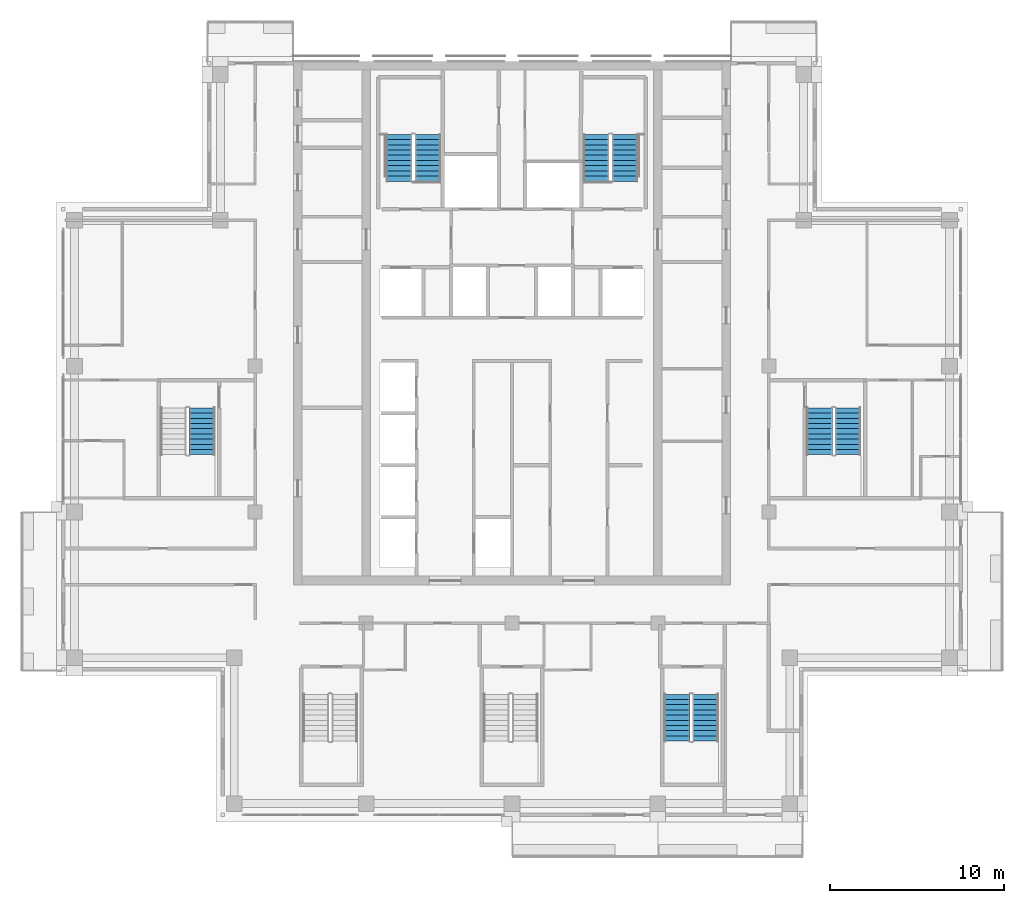
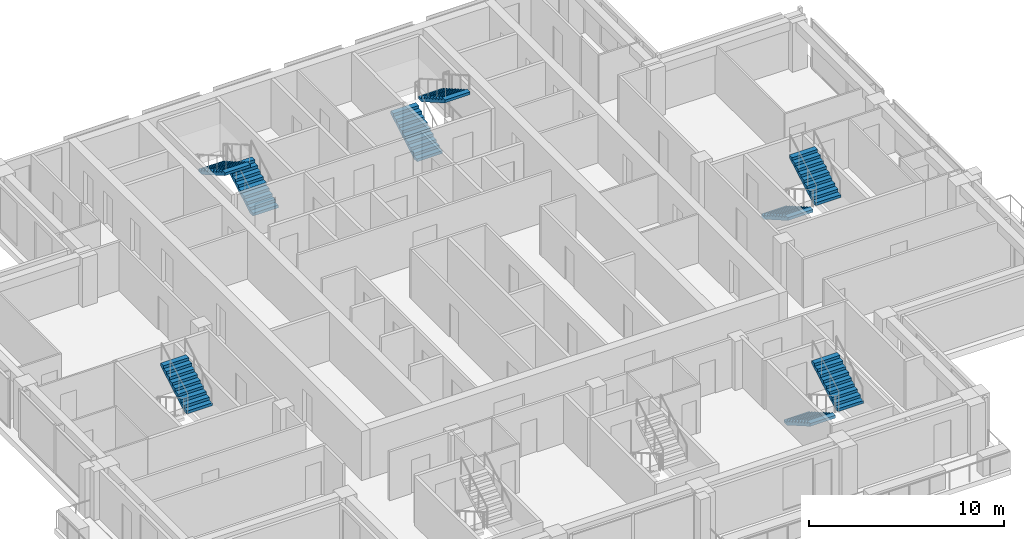
# One storey, part 14 of 17: 9 stair flights, 5 elements without a shape of their own.
"""IFC4 building model written with IfcOpenShell, lengths in metres."""

from ifc_helpers import new_model, si_unit, direction, frame, origin, place, context, subcontext, project, spatial, polyline, outline, extrude, material, type_object, element, aggregate, save


model = new_model("IFC4")

# Units and contexts
model_context = context("Model", 3, precision=1e-05, world=origin(), true_north=direction((0.0, 1.0)))
body_context = subcontext(model_context, "Body", "Model", "MODEL_VIEW")
ifc_project = project(units=[si_unit("LENGTHUNIT", "METRE"), si_unit("AREAUNIT", "SQUARE_METRE"), si_unit("VOLUMEUNIT", "CUBIC_METRE"), si_unit("PLANEANGLEUNIT", "RADIAN"), si_unit("MASSUNIT", "GRAM", prefix="KILO")], contexts=[model_context])

# Site, building, storey
site_placement = place(None, origin())
site = spatial("IfcSite", under=ifc_project, at=site_placement, CompositionType="ELEMENT")
building_placement = place(site_placement, origin())
building = spatial("IfcBuilding", under=site, at=building_placement, Name="Vermilion Ogive Tower", CompositionType="ELEMENT")
storey_placement = place(building_placement, frame((0.0, 0.0, 257.949951171875)))
storey = spatial("IfcBuildingStorey", under=building, at=storey_placement, Name="L68", CompositionType="ELEMENT", Elevation=257.949951171875)

# Stair, stair flights
ifc_material_1 = material(Name="Concrete B40", Category="concrete")
stair_type = type_object("IfcStairType", Name="Exit stair 1500", PredefinedType="HALF_TURN_STAIR", material=ifc_material_1)
stair_1_placement = place(storey_placement, origin())
stair_1 = element("IfcStair", 1, at=stair_1_placement, inside=storey, type_object=stair_type, Name="L68 Exit Stair ST1", PredefinedType="HALF_TURN_STAIR")
ifc_material_2 = material(Name="Concrete B40", Category="concrete")
stair_flight_type = type_object("IfcStairFlightType", Name="Stair flight 1500", PredefinedType="STRAIGHT", material=ifc_material_2)
stair_flight_1_placement = place(storey_placement, frame((-4.85009765625, 14.85009765625, 0.0), z_axis=(0.0, 0.0, 1.0), x_axis=(0.0, 1.0, 0.0)))
stair_flight_1 = element("IfcStairFlight", 2, at=stair_flight_1_placement, type_object=stair_flight_type, Name="ST1 flight 1", NumberOfRisers=10, NumberOfTreads=9, PredefinedType="STRAIGHT", RiserHeight=0.1725, TreadLength=0.3, context=body_context, shape_type="SweptSolid", body=[
    extrude(outline(polyline([(0.0, 0.0), (0.0, 0.172607421875), (0.300048828125, 0.172607421875), (0.300048828125, 0.344970703125), (0.60009765625, 0.344970703125), (0.60009765625, 0.517578125), (0.89990234375, 0.517578125), (0.89990234375, 0.68994140625), (1.199951171875, 0.68994140625), (1.199951171875, 0.862548828125), (1.5, 0.862548828125), (1.5, 1.034912109375), (1.800048828125, 1.034912109375), (1.800048828125, 1.20751953125), (2.10009765625, 1.20751953125), (2.10009765625, 1.3798828125), (2.39990234375, 1.3798828125), (2.39990234375, 1.552490234375), (2.699951171875, 1.552490234375), (2.699951171875, 1.72509765625), (2.699951171875, 1.379638671875), (0.30078125, 0.0), (0.0, 0.0)])), frame((0.0, 0.75, 0.0), z_axis=(0.0, -1.0, 0.0), x_axis=(1.0, 0.0, 0.0)), (0.0, 0.0, 1.0), 1.5),
])
stair_flight_2_placement = place(storey_placement, frame((-6.5, 17.550048828125, 1.72509765625), z_axis=(0.0, 0.0, 1.0), x_axis=(0.0, -1.0, 0.0)))
stair_flight_2 = element("IfcStairFlight", 3, at=stair_flight_2_placement, type_object=stair_flight_type, Name="ST1 flight 2", NumberOfRisers=10, NumberOfTreads=9, PredefinedType="STRAIGHT", RiserHeight=0.1725, TreadLength=0.3, context=body_context, shape_type="SweptSolid", body=[
    extrude(outline(polyline([(0.0, 0.0), (0.0, 0.172607421875), (0.300048828125, 0.172607421875), (0.300048828125, 0.344970703125), (0.60009765625, 0.344970703125), (0.60009765625, 0.517578125), (0.89990234375, 0.517578125), (0.89990234375, 0.68994140625), (1.199951171875, 0.68994140625), (1.199951171875, 0.862548828125), (1.5, 0.862548828125), (1.5, 1.034912109375), (1.800048828125, 1.034912109375), (1.800048828125, 1.20751953125), (2.10009765625, 1.20751953125), (2.10009765625, 1.3798828125), (2.39990234375, 1.3798828125), (2.39990234375, 1.552490234375), (2.699951171875, 1.552490234375), (2.699951171875, 1.72509765625), (2.699951171875, 1.379638671875), (0.30078125, 0.0), (0.0, 0.0)])), frame((0.0, 0.75, 0.0), z_axis=(0.0, -1.0, 0.0), x_axis=(1.0, 0.0, 0.0)), (0.0, 0.0, 1.0), 1.5),
])
aggregate(stair_1, [stair_flight_1, stair_flight_2])

stair_2_placement = place(storey_placement, origin())
stair_2 = element("IfcStair", 4, at=stair_2_placement, inside=storey, type_object=stair_type, Name="L68 Exit Stair ST2", PredefinedType="HALF_TURN_STAIR")
stair_flight_3_placement = place(storey_placement, frame((4.85009765625, 14.85009765625, 0.0), z_axis=(0.0, 0.0, 1.0), x_axis=(0.0, 1.0, 0.0)))
stair_flight_3 = element("IfcStairFlight", 5, at=stair_flight_3_placement, type_object=stair_flight_type, Name="ST2 flight 1", NumberOfRisers=10, NumberOfTreads=9, PredefinedType="STRAIGHT", RiserHeight=0.1725, TreadLength=0.3, context=body_context, shape_type="SweptSolid", body=[
    extrude(outline(polyline([(0.0, 0.0), (0.0, 0.172607421875), (0.300048828125, 0.172607421875), (0.300048828125, 0.344970703125), (0.60009765625, 0.344970703125), (0.60009765625, 0.517578125), (0.89990234375, 0.517578125), (0.89990234375, 0.68994140625), (1.199951171875, 0.68994140625), (1.199951171875, 0.862548828125), (1.5, 0.862548828125), (1.5, 1.034912109375), (1.800048828125, 1.034912109375), (1.800048828125, 1.20751953125), (2.10009765625, 1.20751953125), (2.10009765625, 1.3798828125), (2.39990234375, 1.3798828125), (2.39990234375, 1.552490234375), (2.699951171875, 1.552490234375), (2.699951171875, 1.72509765625), (2.699951171875, 1.379638671875), (0.30078125, 0.0), (0.0, 0.0)])), frame((0.0, 0.75, 0.0), z_axis=(0.0, -1.0, 0.0), x_axis=(1.0, 0.0, 0.0)), (0.0, 0.0, 1.0), 1.5),
])
stair_flight_4_placement = place(storey_placement, frame((6.5, 17.550048828125, 1.72509765625), z_axis=(0.0, 0.0, 1.0), x_axis=(0.0, -1.0, 0.0)))
stair_flight_4 = element("IfcStairFlight", 6, at=stair_flight_4_placement, type_object=stair_flight_type, Name="ST2 flight 2", NumberOfRisers=10, NumberOfTreads=9, PredefinedType="STRAIGHT", RiserHeight=0.1725, TreadLength=0.3, context=body_context, shape_type="SweptSolid", body=[
    extrude(outline(polyline([(0.0, 0.0), (0.0, 0.172607421875), (0.300048828125, 0.172607421875), (0.300048828125, 0.344970703125), (0.60009765625, 0.344970703125), (0.60009765625, 0.517578125), (0.89990234375, 0.517578125), (0.89990234375, 0.68994140625), (1.199951171875, 0.68994140625), (1.199951171875, 0.862548828125), (1.5, 0.862548828125), (1.5, 1.034912109375), (1.800048828125, 1.034912109375), (1.800048828125, 1.20751953125), (2.10009765625, 1.20751953125), (2.10009765625, 1.3798828125), (2.39990234375, 1.3798828125), (2.39990234375, 1.552490234375), (2.699951171875, 1.552490234375), (2.699951171875, 1.72509765625), (2.699951171875, 1.379638671875), (0.30078125, 0.0), (0.0, 0.0)])), frame((0.0, 0.75, 0.0), z_axis=(0.0, -1.0, 0.0), x_axis=(1.0, 0.0, 0.0)), (0.0, 0.0, 1.0), 1.5),
])
aggregate(stair_2, [stair_flight_3, stair_flight_4])

stair_3_placement = place(storey_placement, origin())
stair_3 = element("IfcStair", 7, at=stair_3_placement, inside=storey, type_object=stair_type, Name="L68 Exit Stair ST5", PredefinedType="HALF_TURN_STAIR")
stair_flight_5_placement = place(storey_placement, frame((9.5, -14.699951171875, 0.0), z_axis=(0.0, 0.0, 1.0), x_axis=(0.0, -1.0, 0.0)))
stair_flight_5 = element("IfcStairFlight", 8, at=stair_flight_5_placement, type_object=stair_flight_type, Name="ST5 flight 1", NumberOfRisers=10, NumberOfTreads=9, PredefinedType="STRAIGHT", RiserHeight=0.1725, TreadLength=0.3, context=body_context, shape_type="SweptSolid", body=[
    extrude(outline(polyline([(0.0, 0.0), (0.0, 0.172607421875), (0.300048828125, 0.172607421875), (0.300048828125, 0.344970703125), (0.60009765625, 0.344970703125), (0.60009765625, 0.517578125), (0.89990234375, 0.517578125), (0.89990234375, 0.68994140625), (1.199951171875, 0.68994140625), (1.199951171875, 0.862548828125), (1.5, 0.862548828125), (1.5, 1.034912109375), (1.800048828125, 1.034912109375), (1.800048828125, 1.20751953125), (2.10009765625, 1.20751953125), (2.10009765625, 1.3798828125), (2.39990234375, 1.3798828125), (2.39990234375, 1.552490234375), (2.699951171875, 1.552490234375), (2.699951171875, 1.72509765625), (2.699951171875, 1.379638671875), (0.30078125, 0.0), (0.0, 0.0)])), frame((0.0, 0.75, 0.0), z_axis=(0.0, -1.0, 0.0), x_axis=(1.0, 0.0, 0.0)), (0.0, 0.0, 1.0), 1.5),
])
stair_flight_6_placement = place(storey_placement, frame((11.14990234375, -17.39990234375, 1.72509765625), z_axis=(0.0, 0.0, 1.0), x_axis=(0.0, 1.0, 0.0)))
stair_flight_6 = element("IfcStairFlight", 9, at=stair_flight_6_placement, type_object=stair_flight_type, Name="ST5 flight 2", NumberOfRisers=10, NumberOfTreads=9, PredefinedType="STRAIGHT", RiserHeight=0.1725, TreadLength=0.3, context=body_context, shape_type="SweptSolid", body=[
    extrude(outline(polyline([(0.0, 0.0), (0.0, 0.172607421875), (0.300048828125, 0.172607421875), (0.300048828125, 0.344970703125), (0.60009765625, 0.344970703125), (0.60009765625, 0.517578125), (0.89990234375, 0.517578125), (0.89990234375, 0.68994140625), (1.199951171875, 0.68994140625), (1.199951171875, 0.862548828125), (1.5, 0.862548828125), (1.5, 1.034912109375), (1.800048828125, 1.034912109375), (1.800048828125, 1.20751953125), (2.10009765625, 1.20751953125), (2.10009765625, 1.3798828125), (2.39990234375, 1.3798828125), (2.39990234375, 1.552490234375), (2.699951171875, 1.552490234375), (2.699951171875, 1.72509765625), (2.699951171875, 1.379638671875), (0.30078125, 0.0), (0.0, 0.0)])), frame((0.0, 0.75, 0.0), z_axis=(0.0, -1.0, 0.0), x_axis=(1.0, 0.0, 0.0)), (0.0, 0.0, 1.0), 1.5),
])
aggregate(stair_3, [stair_flight_5, stair_flight_6])

stair_4_placement = place(storey_placement, origin())
stair_4 = element("IfcStair", 10, at=stair_4_placement, inside=storey, type_object=stair_type, Name="L68 Exit Stair ST8", PredefinedType="HALF_TURN_STAIR")
stair_flight_7_placement = place(storey_placement, frame((17.699951171875, 1.800048828125, 0.0), z_axis=(0.0, 0.0, 1.0), x_axis=(0.0, -1.0, 0.0)))
stair_flight_7 = element("IfcStairFlight", 11, at=stair_flight_7_placement, type_object=stair_flight_type, Name="ST8 flight 1", NumberOfRisers=10, NumberOfTreads=9, PredefinedType="STRAIGHT", RiserHeight=0.1725, TreadLength=0.3, context=body_context, shape_type="SweptSolid", body=[
    extrude(outline(polyline([(0.0, 0.0), (0.0, 0.172607421875), (0.300048828125, 0.172607421875), (0.300048828125, 0.344970703125), (0.60009765625, 0.344970703125), (0.60009765625, 0.517578125), (0.89990234375, 0.517578125), (0.89990234375, 0.68994140625), (1.199951171875, 0.68994140625), (1.199951171875, 0.862548828125), (1.5, 0.862548828125), (1.5, 1.034912109375), (1.800048828125, 1.034912109375), (1.800048828125, 1.20751953125), (2.10009765625, 1.20751953125), (2.10009765625, 1.3798828125), (2.39990234375, 1.3798828125), (2.39990234375, 1.552490234375), (2.699951171875, 1.552490234375), (2.699951171875, 1.72509765625), (2.699951171875, 1.379638671875), (0.30078125, 0.0), (0.0, 0.0)])), frame((0.0, 0.75, 0.0), z_axis=(0.0, -1.0, 0.0), x_axis=(1.0, 0.0, 0.0)), (0.0, 0.0, 1.0), 1.5),
])
stair_flight_8_placement = place(storey_placement, frame((19.35009765625, -0.89990234375, 1.72509765625), z_axis=(0.0, 0.0, 1.0), x_axis=(0.0, 1.0, 0.0)))
stair_flight_8 = element("IfcStairFlight", 12, at=stair_flight_8_placement, type_object=stair_flight_type, Name="ST8 flight 2", NumberOfRisers=10, NumberOfTreads=9, PredefinedType="STRAIGHT", RiserHeight=0.1725, TreadLength=0.3, context=body_context, shape_type="SweptSolid", body=[
    extrude(outline(polyline([(0.0, 0.0), (0.0, 0.172607421875), (0.300048828125, 0.172607421875), (0.300048828125, 0.344970703125), (0.60009765625, 0.344970703125), (0.60009765625, 0.517578125), (0.89990234375, 0.517578125), (0.89990234375, 0.68994140625), (1.199951171875, 0.68994140625), (1.199951171875, 0.862548828125), (1.5, 0.862548828125), (1.5, 1.034912109375), (1.800048828125, 1.034912109375), (1.800048828125, 1.20751953125), (2.10009765625, 1.20751953125), (2.10009765625, 1.3798828125), (2.39990234375, 1.3798828125), (2.39990234375, 1.552490234375), (2.699951171875, 1.552490234375), (2.699951171875, 1.72509765625), (2.699951171875, 1.379638671875), (0.30078125, 0.0), (0.0, 0.0)])), frame((0.0, 0.75, 0.0), z_axis=(0.0, -1.0, 0.0), x_axis=(1.0, 0.0, 0.0)), (0.0, 0.0, 1.0), 1.5),
])
aggregate(stair_4, [stair_flight_7, stair_flight_8])

# Stair, stair flight
stair_5_placement = place(storey_placement, origin())
stair_5 = element("IfcStair", 13, at=stair_5_placement, inside=storey, type_object=stair_type, Name="L68 Exit Stair ST9", PredefinedType="HALF_TURN_STAIR")
stair_flight_9_placement = place(storey_placement, frame((-17.85009765625, -0.89990234375, 1.72509765625), z_axis=(0.0, 0.0, 1.0), x_axis=(0.0, 1.0, 0.0)))
stair_flight_9 = element("IfcStairFlight", 14, at=stair_flight_9_placement, type_object=stair_flight_type, Name="ST9 flight 2", NumberOfRisers=10, NumberOfTreads=9, PredefinedType="STRAIGHT", RiserHeight=0.1725, TreadLength=0.3, context=body_context, shape_type="SweptSolid", body=[
    extrude(outline(polyline([(0.0, 0.0), (0.0, 0.172607421875), (0.300048828125, 0.172607421875), (0.300048828125, 0.344970703125), (0.60009765625, 0.344970703125), (0.60009765625, 0.517578125), (0.89990234375, 0.517578125), (0.89990234375, 0.68994140625), (1.199951171875, 0.68994140625), (1.199951171875, 0.862548828125), (1.5, 0.862548828125), (1.5, 1.034912109375), (1.800048828125, 1.034912109375), (1.800048828125, 1.20751953125), (2.10009765625, 1.20751953125), (2.10009765625, 1.3798828125), (2.39990234375, 1.3798828125), (2.39990234375, 1.552490234375), (2.699951171875, 1.552490234375), (2.699951171875, 1.72509765625), (2.699951171875, 1.379638671875), (0.30078125, 0.0), (0.0, 0.0)])), frame((0.0, 0.75, 0.0), z_axis=(0.0, -1.0, 0.0), x_axis=(1.0, 0.0, 0.0)), (0.0, 0.0, 1.0), 1.5),
])
aggregate(stair_5, [stair_flight_9])

save(model, "model.ifc")
